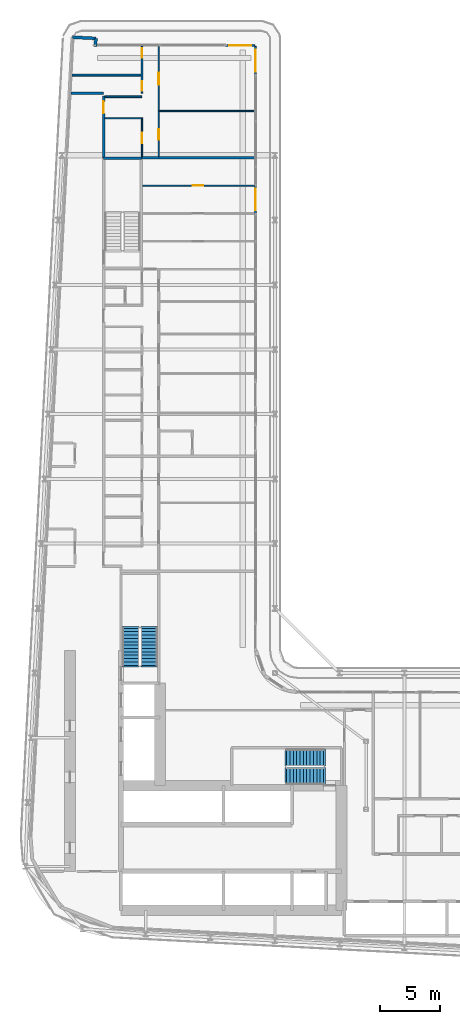
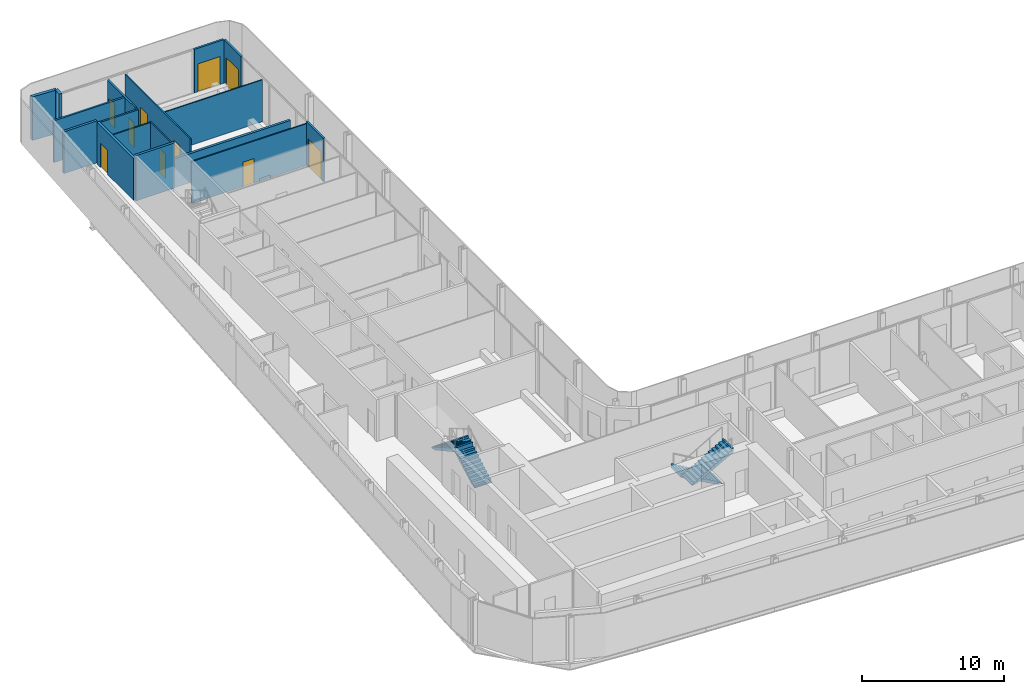
# One storey, part 20 of 28: 17 walls, 10 doors, 4 stair flights, 10 openings, 2 elements without a shape of their own.
"""IFC4 building model written with IfcOpenShell, lengths in metres."""

from ifc_helpers import new_model, si_unit, direction, frame, frame_2d, origin, place, context, subcontext, project, spatial, polyline, rectangle, outline, extrude, source, transform, mapped, material, layer, layer_set, type_object, element, fill, aggregate, save


model = new_model("IFC4")

# Units and contexts
model_context = context("Model", 3, precision=1e-05, world=origin(), true_north=direction((0.0, 1.0)))
body_context = subcontext(model_context, "Body", "Model", "MODEL_VIEW")
ifc_project = project(units=[si_unit("LENGTHUNIT", "METRE"), si_unit("AREAUNIT", "SQUARE_METRE"), si_unit("VOLUMEUNIT", "CUBIC_METRE"), si_unit("PLANEANGLEUNIT", "RADIAN"), si_unit("MASSUNIT", "GRAM", prefix="KILO")], contexts=[model_context])

# Site, building, storey
site_placement = place(None, origin())
site = spatial("IfcSite", under=ifc_project, at=site_placement, CompositionType="ELEMENT")
building_placement = place(site_placement, origin())
building = spatial("IfcBuilding", under=site, at=building_placement, Name="Kheshtan School and Residences Tower", CompositionType="ELEMENT")
storey_placement = place(building_placement, frame((0.0, 0.0, 133.10009765625)))
storey = spatial("IfcBuildingStorey", under=building, at=storey_placement, Name="L31", CompositionType="ELEMENT", Elevation=133.10009765625)

# Wall
ifc_material_1 = material(Name="Gypsum board on steel studs with fire boards", Category="steel")
ifc_layer_1 = layer(ifc_material_1, 0.199951171875)
ifc_layer_set_1 = layer_set([ifc_layer_1], Name="Corridor wall 200")
wall_type_1 = type_object("IfcWallType", Name="Corridor wall 200", PredefinedType="PARTITIONING", material=ifc_layer_set_1)
wall_1_placement = place(storey_placement, frame((30.584716796875, 94.0, 0.0), z_axis=(0.0, 0.0, 1.0), x_axis=(1.0, 0.0, 0.0)))
element("IfcWall", 1, at=wall_1_placement, inside=storey, type_object=wall_type_1, Name="Partition L31-002", PredefinedType="PARTITIONING", context=body_context, shape_type="SweptSolid", body=[
    extrude(rectangle(XDim=2.71533203125, YDim=0.199951171875, at=frame_2d((1.357666015625, 0.0))), origin(), (0.0, 0.0, 1.0), 3.599853515625),
])

# Wall, opening, door
wall_2_placement = place(storey_placement, frame((33.300048828125, 88.60009765625, 0.0), z_axis=(0.0, 0.0, 1.0), x_axis=(0.0, 1.0, 0.0)))
wall_2 = element("IfcWall", 2, at=wall_2_placement, inside=storey, type_object=wall_type_1, Name="Partition L31-004", PredefinedType="PARTITIONING", context=body_context, shape_type="SweptSolid", body=[
    extrude(rectangle(XDim=5.1748046875, YDim=0.199951171875, at=frame_2d((2.58740234375, 0.0))), origin(), (0.0, 0.0, 1.0), 3.599853515625),
])
opening_1_placement = place(wall_2_placement, frame((3.699951171875, 0.0, 0.0)))
opening_1 = element("IfcOpeningElement", 3, at=opening_1_placement, cuts=wall_2, Name="Opening D29-059", PredefinedType="OPENING", context=body_context, shape_type="SweptSolid", body=[
    extrude(rectangle(XDim=1.0, YDim=2.10009765625, at=frame_2d((0.5, 1.050048828125))), frame((0.0, 0.10986328125, 0.0), z_axis=(0.0, -1.0, 0.0), x_axis=(1.0, 0.0, 0.0)), (0.0, 0.0, 1.0), 0.219970703125),
])
ifc_material_2 = material(Name="Steel-framed fire-resisting door leaf", Category="steel")
door_type_1 = type_object("IfcDoorType", Name="Fire door FD30S 1000 x 2100", OperationType="SINGLE_SWING_LEFT", PredefinedType="DOOR", material=ifc_material_2)
shared_shape_1 = source(origin(), body_context, "Body", "SweptSolid", [
    extrude(rectangle(XDim=1.0, YDim=2.10009765625, at=frame_2d((0.5, 1.050048828125))), frame((0.0, 0.02490234375, 0.0), z_axis=(0.0, -1.0, 0.0), x_axis=(1.0, 0.0, 0.0)), (0.0, 0.0, 1.0), 0.050048828125),
])
door_1_placement = place(opening_1_placement, origin())
door_1 = element("IfcDoor", 4, at=door_1_placement, inside=storey, type_object=door_type_1, Name="Door D29-059", OperationType="SINGLE_SWING_RIGHT", OverallHeight=2.10009765625, OverallWidth=1.0, PredefinedType="DOOR", context=body_context, shape_type="MappedRepresentation", body=[
    mapped(shared_shape_1, transform((0.0, 0.0, 0.0), x_axis=(1.0, 0.0, 0.0), y_axis=(0.0, 1.0, 0.0), z_axis=(0.0, 0.0, 1.0), scale=1.0)),
])
fill(opening_1, door_1)

# Walls
ifc_material_3 = material(Name="Concrete C40/50 with ceramic cladding and mineral wool insulation", Category="concrete")
ifc_layer_2 = layer(ifc_material_3, 0.25)
ifc_layer_set_2 = layer_set([ifc_layer_2], Name="External wall 250 ceramic clad")
wall_type_2 = type_object("IfcWallType", Name="External wall 250 ceramic clad", PredefinedType="SOLIDWALL", material=ifc_layer_set_2)
wall_3_placement = place(storey_placement, frame((30.705078125, 98.6640625, 0.0), z_axis=(0.0, 0.0, 1.0), x_axis=(0.998577785791, -0.053314216913, 0.0)))
element("IfcWall", 5, at=wall_3_placement, inside=storey, type_object=wall_type_2, Name="External wall L31 5", PredefinedType="SOLIDWALL", context=body_context, shape_type="SweptSolid", body=[
    extrude(rectangle(XDim=1.95068359375, YDim=0.25, at=frame_2d((0.975341796875, 0.0))), origin(), (0.0, 0.0, 1.0), 3.75),
])
wall_4_placement = place(storey_placement, frame((32.653076171875, 98.56005859375, 0.0), z_axis=(0.0, 0.0, 1.0), x_axis=(-0.054093451632, -0.998535877418, 0.0)))
element("IfcWall", 6, at=wall_4_placement, inside=storey, type_object=wall_type_2, Name="External wall L31 6", PredefinedType="SOLIDWALL", context=body_context, shape_type="SweptSolid", body=[
    extrude(rectangle(XDim=0.66796875, YDim=0.25, at=frame_2d((0.333984375, 0.0))), origin(), (0.0, 0.0, 1.0), 3.75),
])

# Wall, opening, door
ifc_material_4 = material(Name="Aluminium frame wall with insulated infill", Category="aluminium")
ifc_layer_3 = layer(ifc_material_4, 0.14990234375)
ifc_layer_set_3 = layer_set([ifc_layer_3], Name="Glazing frame wall 150")
wall_type_3 = type_object("IfcWallType", Name="Glazing frame wall 150", PredefinedType="SOLIDWALL", material=ifc_layer_set_3)
wall_5_placement = place(storey_placement, frame((43.5, 97.97509765625, 0.0), z_axis=(0.0, 0.0, 1.0), x_axis=(1.0, 0.0, 0.0)))
wall_5 = element("IfcWall", 7, at=wall_5_placement, inside=storey, type_object=wall_type_3, Name="Balcony door wall L31 7.1", PredefinedType="SOLIDWALL", context=body_context, shape_type="SweptSolid", body=[
    extrude(rectangle(XDim=2.39990234375, YDim=0.14990234375, at=frame_2d((1.199951171875, 0.0))), origin(), (0.0, 0.0, 1.0), 3.75),
])
opening_2_placement = place(wall_5_placement, frame((0.300048828125, 0.0, 0.0)))
opening_2 = element("IfcOpeningElement", 8, at=opening_2_placement, cuts=wall_5, Name="Opening BD", PredefinedType="OPENING", context=body_context, shape_type="SweptSolid", body=[
    extrude(rectangle(XDim=1.800048828125, YDim=2.39990234375, at=frame_2d((0.89990234375, 1.199951171875))), frame((0.0, 0.0849609375, 0.0), z_axis=(0.0, -1.0, 0.0), x_axis=(1.0, 0.0, 0.0)), (0.0, 0.0, 1.0), 0.169921875),
])
ifc_material_5 = material(Name="Clear low-e glass in thermally broken aluminium frame", Category="aluminium")
door_type_2 = type_object("IfcDoorType", Name="Balcony sliding door", OperationType="SLIDING_TO_LEFT", PredefinedType="DOOR", material=ifc_material_5)
shared_shape_2 = source(origin(), body_context, "Body", "SweptSolid", [
    extrude(rectangle(XDim=1.800048828125, YDim=2.39990234375, at=frame_2d((0.89990234375, 1.199951171875))), frame((0.0, 0.02490234375, 0.0), z_axis=(0.0, -1.0, 0.0), x_axis=(1.0, 0.0, 0.0)), (0.0, 0.0, 1.0), 0.050048828125),
])
door_2_placement = place(opening_2_placement, origin())
door_2 = element("IfcDoor", 9, at=door_2_placement, inside=storey, type_object=door_type_2, Name="Balcony door L31 7.1", OperationType="SLIDING_TO_LEFT", OverallHeight=2.39990234375, OverallWidth=1.800048828125, PredefinedType="DOOR", context=body_context, shape_type="MappedRepresentation", body=[
    mapped(shared_shape_2, transform((0.0, 0.0, 0.0), x_axis=(1.0, 0.0, 0.0), y_axis=(0.0, 1.0, 0.0), z_axis=(0.0, 0.0, 1.0), scale=1.0)),
])
fill(opening_2, door_2)

wall_6_placement = place(storey_placement, frame((45.97509765625, 97.89990234375, 0.0), z_axis=(0.0, 0.0, 1.0), x_axis=(0.0, -1.0, 0.0)))
wall_6 = element("IfcWall", 10, at=wall_6_placement, inside=storey, type_object=wall_type_3, Name="Balcony door wall L31 8.1", PredefinedType="SOLIDWALL", context=body_context, shape_type="SweptSolid", body=[
    extrude(rectangle(XDim=2.39990234375, YDim=0.14990234375, at=frame_2d((1.199951171875, 0.0))), origin(), (0.0, 0.0, 1.0), 3.75),
])
opening_3_placement = place(wall_6_placement, frame((0.300048828125, 0.0, 0.0)))
opening_3 = element("IfcOpeningElement", 11, at=opening_3_placement, cuts=wall_6, Name="Opening BD", PredefinedType="OPENING", context=body_context, shape_type="SweptSolid", body=[
    extrude(rectangle(XDim=1.800048828125, YDim=2.39990234375, at=frame_2d((0.89990234375, 1.199951171875))), frame((0.0, 0.0849609375, 0.0), z_axis=(0.0, -1.0, 0.0), x_axis=(1.0, 0.0, 0.0)), (0.0, 0.0, 1.0), 0.169921875),
])
door_3_placement = place(opening_3_placement, origin())
door_3 = element("IfcDoor", 12, at=door_3_placement, inside=storey, type_object=door_type_2, Name="Balcony door L31 8.1", OperationType="SLIDING_TO_LEFT", OverallHeight=2.39990234375, OverallWidth=1.800048828125, PredefinedType="DOOR", context=body_context, shape_type="MappedRepresentation", body=[
    mapped(shared_shape_2, transform((0.0, 0.0, 0.0), x_axis=(1.0, 0.0, 0.0), y_axis=(0.0, 1.0, 0.0), z_axis=(0.0, 0.0, 1.0), scale=1.0)),
])
fill(opening_3, door_3)

wall_7_placement = place(storey_placement, frame((45.97509765625, 86.305908203125, 0.0), z_axis=(0.0, 0.0, 1.0), x_axis=(0.0, -1.0, 0.0)))
wall_7 = element("IfcWall", 13, at=wall_7_placement, inside=storey, type_object=wall_type_3, Name="Balcony door wall L31 8.2", PredefinedType="SOLIDWALL", context=body_context, shape_type="SweptSolid", body=[
    extrude(rectangle(XDim=2.39990234375, YDim=0.14990234375, at=frame_2d((1.199951171875, 0.0))), origin(), (0.0, 0.0, 1.0), 3.75),
])
opening_4_placement = place(wall_7_placement, frame((0.300048828125, 0.0, 0.0)))
opening_4 = element("IfcOpeningElement", 14, at=opening_4_placement, cuts=wall_7, Name="Opening BD", PredefinedType="OPENING", context=body_context, shape_type="SweptSolid", body=[
    extrude(rectangle(XDim=1.800048828125, YDim=2.39990234375, at=frame_2d((0.89990234375, 1.199951171875))), frame((0.0, 0.0849609375, 0.0), z_axis=(0.0, -1.0, 0.0), x_axis=(1.0, 0.0, 0.0)), (0.0, 0.0, 1.0), 0.169921875),
])
door_4_placement = place(opening_4_placement, origin())
door_4 = element("IfcDoor", 15, at=door_4_placement, inside=storey, type_object=door_type_2, Name="Balcony door L31 8.2", OperationType="SLIDING_TO_LEFT", OverallHeight=2.39990234375, OverallWidth=1.800048828125, PredefinedType="DOOR", context=body_context, shape_type="MappedRepresentation", body=[
    mapped(shared_shape_2, transform((0.0, 0.0, 0.0), x_axis=(1.0, 0.0, 0.0), y_axis=(0.0, 1.0, 0.0), z_axis=(0.0, 0.0, 1.0), scale=1.0)),
])
fill(opening_4, door_4)

# Wall
ifc_material_6 = material(Name="Gypsum board on steel studs", Category="steel")
ifc_layer_4 = layer(ifc_material_6, 0.10009765625)
ifc_layer_set_4 = layer_set([ifc_layer_4], Name="Gypsum partition 100")
wall_type_4 = type_object("IfcWallType", Name="Gypsum partition 100", PredefinedType="PARTITIONING", material=ifc_layer_set_4)
wall_8_placement = place(storey_placement, frame((33.39990234375, 91.89990234375, 0.0), z_axis=(0.0, 0.0, 1.0), x_axis=(1.0, 0.0, 0.0)))
element("IfcWall", 16, at=wall_8_placement, inside=storey, type_object=wall_type_4, Name="Partition L31-018", PredefinedType="PARTITIONING", context=body_context, shape_type="SweptSolid", body=[
    extrude(rectangle(XDim=3.050048828125, YDim=0.10009765625, at=frame_2d((1.52490234375, 0.0))), origin(), (0.0, 0.0, 1.0), 3.599853515625),
])

# Wall, opening, door
wall_9_placement = place(storey_placement, frame((36.5, 88.699951171875, 0.0), z_axis=(0.0, 0.0, 1.0), x_axis=(0.0, 1.0, 0.0)))
wall_9 = element("IfcWall", 17, at=wall_9_placement, inside=storey, type_object=wall_type_4, Name="Partition L31-027", PredefinedType="PARTITIONING", context=body_context, shape_type="SweptSolid", body=[
    extrude(rectangle(XDim=3.25, YDim=0.10009765625, at=frame_2d((1.625, 0.0))), origin(), (0.0, 0.0, 1.0), 3.599853515625),
])
opening_5_placement = place(wall_9_placement, frame((1.10009765625, 0.0, 0.0)))
opening_5 = element("IfcOpeningElement", 18, at=opening_5_placement, cuts=wall_9, Name="Opening D29-060", PredefinedType="OPENING", context=body_context, shape_type="SweptSolid", body=[
    extrude(rectangle(XDim=0.89990234375, YDim=2.10009765625, at=frame_2d((0.449951171875, 1.050048828125))), frame((0.0, 0.06005859375, 0.0), z_axis=(0.0, -1.0, 0.0), x_axis=(1.0, 0.0, 0.0)), (0.0, 0.0, 1.0), 0.1201171875),
])
ifc_material_7 = material(Name="Veneered timber door leaf", Category="wood")
door_type_3 = type_object("IfcDoorType", Name="Door 900 x 2100", OperationType="SINGLE_SWING_LEFT", PredefinedType="DOOR", material=ifc_material_7)
shared_shape_3 = source(origin(), body_context, "Body", "SweptSolid", [
    extrude(rectangle(XDim=0.89990234375, YDim=2.10009765625, at=frame_2d((0.449951171875, 1.050048828125))), frame((0.0, 0.02490234375, 0.0), z_axis=(0.0, -1.0, 0.0), x_axis=(1.0, 0.0, 0.0)), (0.0, 0.0, 1.0), 0.050048828125),
])
door_5_placement = place(opening_5_placement, origin())
door_5 = element("IfcDoor", 19, at=door_5_placement, inside=storey, type_object=door_type_3, Name="Door D29-060", OperationType="SINGLE_SWING_LEFT", OverallHeight=2.10009765625, OverallWidth=0.89990234375, PredefinedType="DOOR", context=body_context, shape_type="MappedRepresentation", body=[
    mapped(shared_shape_3, transform((0.0, 0.0, 0.0), x_axis=(1.0, 0.0, 0.0), y_axis=(0.0, 1.0, 0.0), z_axis=(0.0, 0.0, 1.0), scale=1.0)),
])
fill(opening_5, door_5)

wall_10_placement = place(storey_placement, frame((36.549072265625, 86.27490234375, 0.0), z_axis=(0.0, 0.0, 1.0), x_axis=(1.0, 0.0, 0.0)))
wall_10 = element("IfcWall", 20, at=wall_10_placement, inside=storey, type_object=wall_type_4, Name="Partition L31-031", PredefinedType="PARTITIONING", context=body_context, shape_type="SweptSolid", body=[
    extrude(rectangle(XDim=9.350830078125, YDim=0.10009765625, at=frame_2d((4.67529296875, 0.0))), origin(), (0.0, 0.0, 1.0), 3.599853515625),
])
opening_6_placement = place(wall_10_placement, frame((4.176025390625, 0.0, 0.0)))
opening_6 = element("IfcOpeningElement", 21, at=opening_6_placement, cuts=wall_10, Name="Opening D29-056", PredefinedType="OPENING", context=body_context, shape_type="SweptSolid", body=[
    extrude(rectangle(XDim=0.89990234375, YDim=2.10009765625, at=frame_2d((0.449951171875, 1.050048828125))), frame((0.0, 0.06005859375, 0.0), z_axis=(0.0, -1.0, 0.0), x_axis=(1.0, 0.0, 0.0)), (0.0, 0.0, 1.0), 0.1201171875),
])
door_6_placement = place(opening_6_placement, origin())
door_6 = element("IfcDoor", 22, at=door_6_placement, inside=storey, type_object=door_type_3, Name="Door D29-056", OperationType="SINGLE_SWING_RIGHT", OverallHeight=2.10009765625, OverallWidth=0.89990234375, PredefinedType="DOOR", context=body_context, shape_type="MappedRepresentation", body=[
    mapped(shared_shape_3, transform((0.0, 0.0, 0.0), x_axis=(1.0, 0.0, 0.0), y_axis=(0.0, 1.0, 0.0), z_axis=(0.0, 0.0, 1.0), scale=1.0)),
])
fill(opening_6, door_6)

# Wall, openings, doors
wall_11_placement = place(storey_placement, frame((37.89990234375, 88.699951171875, 0.0), z_axis=(0.0, 0.0, 1.0), x_axis=(0.0, 1.0, 0.0)))
wall_11 = element("IfcWall", 23, at=wall_11_placement, inside=storey, type_object=wall_type_4, Name="Partition L31-034", PredefinedType="PARTITIONING", context=body_context, shape_type="SweptSolid", body=[
    extrude(rectangle(XDim=9.199951171875, YDim=0.10009765625, at=frame_2d((4.60009765625, 0.0))), origin(), (0.0, 0.0, 1.0), 3.599853515625),
])
opening_7_placement = place(wall_11_placement, frame((1.39990234375, 0.0, 0.0)))
opening_7 = element("IfcOpeningElement", 24, at=opening_7_placement, cuts=wall_11, Name="Opening D29-058", PredefinedType="OPENING", context=body_context, shape_type="SweptSolid", body=[
    extrude(rectangle(XDim=0.89990234375, YDim=2.10009765625, at=frame_2d((0.449951171875, 1.050048828125))), frame((0.0, 0.06005859375, 0.0), z_axis=(0.0, -1.0, 0.0), x_axis=(1.0, 0.0, 0.0)), (0.0, 0.0, 1.0), 0.1201171875),
])
opening_8_placement = place(wall_11_placement, frame((6.0, 0.0, 0.0)))
opening_8 = element("IfcOpeningElement", 25, at=opening_8_placement, cuts=wall_11, Name="Opening D29-061", PredefinedType="OPENING", context=body_context, shape_type="SweptSolid", body=[
    extrude(rectangle(XDim=1.0, YDim=2.10009765625, at=frame_2d((0.5, 1.050048828125))), frame((0.0, 0.06005859375, 0.0), z_axis=(0.0, -1.0, 0.0), x_axis=(1.0, 0.0, 0.0)), (0.0, 0.0, 1.0), 0.1201171875),
])
door_type_4 = type_object("IfcDoorType", Name="Door 1000 x 2100", OperationType="SINGLE_SWING_LEFT", PredefinedType="DOOR", material=ifc_material_7)
shared_shape_4 = source(origin(), body_context, "Body", "SweptSolid", [
    extrude(rectangle(XDim=1.0, YDim=2.10009765625, at=frame_2d((0.5, 1.050048828125))), frame((0.0, 0.02490234375, 0.0), z_axis=(0.0, -1.0, 0.0), x_axis=(1.0, 0.0, 0.0)), (0.0, 0.0, 1.0), 0.050048828125),
])
door_7_placement = place(opening_8_placement, origin())
door_7 = element("IfcDoor", 26, at=door_7_placement, inside=storey, type_object=door_type_4, Name="Door D29-061", OperationType="SINGLE_SWING_RIGHT", OverallHeight=2.10009765625, OverallWidth=1.0, PredefinedType="DOOR", context=body_context, shape_type="MappedRepresentation", body=[
    mapped(shared_shape_4, transform((0.0, 0.0, 0.0), x_axis=(1.0, 0.0, 0.0), y_axis=(0.0, 1.0, 0.0), z_axis=(0.0, 0.0, 1.0), scale=1.0)),
])
fill(opening_8, door_7)
door_8_placement = place(opening_7_placement, origin())
door_8 = element("IfcDoor", 27, at=door_8_placement, inside=storey, type_object=door_type_3, Name="Door D29-058", OperationType="SINGLE_SWING_LEFT", OverallHeight=2.10009765625, OverallWidth=0.89990234375, PredefinedType="DOOR", context=body_context, shape_type="MappedRepresentation", body=[
    mapped(shared_shape_3, transform((0.0, 0.0, 0.0), x_axis=(1.0, 0.0, 0.0), y_axis=(0.0, 1.0, 0.0), z_axis=(0.0, 0.0, 1.0), scale=1.0)),
])
fill(opening_7, door_8)

# Walls
wall_12_placement = place(storey_placement, frame((37.949951171875, 92.5, 0.0), z_axis=(0.0, 0.0, 1.0), x_axis=(1.0, 0.0, 0.0)))
element("IfcWall", 28, at=wall_12_placement, inside=storey, type_object=wall_type_4, Name="Partition L31-035", PredefinedType="PARTITIONING", context=body_context, shape_type="SweptSolid", body=[
    extrude(rectangle(XDim=7.949951171875, YDim=0.10009765625, at=frame_2d((3.97509765625, 0.0))), origin(), (0.0, 0.0, 1.0), 3.599853515625),
])
ifc_material_8 = material(Name="Concrete C40/50", Category="concrete")
ifc_layer_5 = layer(ifc_material_8, 0.199951171875)
ifc_layer_set_5 = layer_set([ifc_layer_5], Name="Stair enclosure wall 200 Concrete C40/50")
wall_type_5 = type_object("IfcWallType", Name="Stair enclosure wall 200 Concrete C40/50", PredefinedType="SHEAR", material=ifc_layer_set_5)
wall_13_placement = place(storey_placement, frame((33.300048828125, 88.56005859375, 0.0), z_axis=(0.0, 0.0, 1.0), x_axis=(1.0, 0.0, 0.0)))
element("IfcWall", 29, at=wall_13_placement, inside=storey, type_object=wall_type_5, Name="Stair enclosure wall ST3", PredefinedType="SHEAR", context=body_context, shape_type="SweptSolid", body=[
    extrude(rectangle(XDim=3.14990234375, YDim=0.199951171875, at=frame_2d((1.574951171875, 0.0))), origin(), (0.0, 0.0, 1.0), 3.89990234375),
])
ifc_material_9 = material(Name="Twin gypsum board on steel studs with mineral wool", Category="steel")
ifc_layer_6 = layer(ifc_material_9, 0.199951171875)
ifc_layer_set_6 = layer_set([ifc_layer_6], Name="Unit demising wall 200")
wall_type_6 = type_object("IfcWallType", Name="Unit demising wall 200", PredefinedType="PARTITIONING", material=ifc_layer_set_6)
wall_14_placement = place(storey_placement, frame((36.449951171875, 88.60009765625, 0.0), z_axis=(0.0, 0.0, 1.0), x_axis=(1.0, 0.0, 0.0)))
element("IfcWall", 30, at=wall_14_placement, inside=storey, type_object=wall_type_6, Name="Partition L31-023", PredefinedType="PARTITIONING", context=body_context, shape_type="SweptSolid", body=[
    extrude(rectangle(XDim=9.449951171875, YDim=0.199951171875, at=frame_2d((4.72509765625, 0.0))), origin(), (0.0, 0.0, 1.0), 2.5),
])
ifc_material_10 = material(Name="Moisture-resistant gypsum board on steel studs", Category="steel")
ifc_layer_7 = layer(ifc_material_10, 0.14990234375)
ifc_layer_set_7 = layer_set([ifc_layer_7], Name="Wet-room partition 150")
wall_type_7 = type_object("IfcWallType", Name="Wet-room partition 150", PredefinedType="PARTITIONING", material=ifc_layer_set_7)
wall_15_placement = place(storey_placement, frame((30.6640625, 95.5, 0.0), z_axis=(0.0, 0.0, 1.0), x_axis=(1.0, 0.0, 0.0)))
element("IfcWall", 31, at=wall_15_placement, inside=storey, type_object=wall_type_7, Name="Partition L31-001", PredefinedType="PARTITIONING", context=body_context, shape_type="SweptSolid", body=[
    extrude(rectangle(XDim=5.760986328125, YDim=0.14990234375, at=frame_2d((2.88037109375, 0.0))), origin(), (0.0, 0.0, 1.0), 3.599853515625),
])
wall_16_placement = place(storey_placement, frame((33.39990234375, 93.699951171875, 0.0), z_axis=(0.0, 0.0, 1.0), x_axis=(1.0, 0.0, 0.0)))
element("IfcWall", 32, at=wall_16_placement, inside=storey, type_object=wall_type_7, Name="Partition L31-019", PredefinedType="PARTITIONING", context=body_context, shape_type="SweptSolid", body=[
    extrude(rectangle(XDim=3.10009765625, YDim=0.14990234375, at=frame_2d((1.550048828125, 0.0))), origin(), (0.0, 0.0, 1.0), 3.599853515625),
])

# Wall, openings, doors
wall_17_placement = place(storey_placement, frame((36.5, 94.0, 0.0), z_axis=(0.0, 0.0, 1.0), x_axis=(0.0, 1.0, 0.0)))
wall_17 = element("IfcWall", 33, at=wall_17_placement, inside=storey, type_object=wall_type_7, Name="Partition L31-028", PredefinedType="PARTITIONING", context=body_context, shape_type="SweptSolid", body=[
    extrude(rectangle(XDim=3.89990234375, YDim=0.14990234375, at=frame_2d((1.949951171875, 0.0))), origin(), (0.0, 0.0, 1.0), 3.599853515625),
])
opening_9_placement = place(wall_17_placement, frame((2.949951171875, 0.0, 0.0)))
opening_9 = element("IfcOpeningElement", 34, at=opening_9_placement, cuts=wall_17, Name="Opening D29-057", PredefinedType="OPENING", context=body_context, shape_type="SweptSolid", body=[
    extrude(rectangle(XDim=0.800048828125, YDim=2.10009765625, at=frame_2d((0.39990234375, 1.050048828125))), frame((0.0, 0.0849609375, 0.0), z_axis=(0.0, -1.0, 0.0), x_axis=(1.0, 0.0, 0.0)), (0.0, 0.0, 1.0), 0.169921875),
])
opening_10_placement = place(wall_17_placement, frame((0.199951171875, 0.0, 0.0)))
opening_10 = element("IfcOpeningElement", 35, at=opening_10_placement, cuts=wall_17, Name="Opening D29-062", PredefinedType="OPENING", context=body_context, shape_type="SweptSolid", body=[
    extrude(rectangle(XDim=0.800048828125, YDim=2.10009765625, at=frame_2d((0.39990234375, 1.050048828125))), frame((0.0, 0.0849609375, 0.0), z_axis=(0.0, -1.0, 0.0), x_axis=(1.0, 0.0, 0.0)), (0.0, 0.0, 1.0), 0.169921875),
])
door_type_5 = type_object("IfcDoorType", Name="Door 800 x 2100", OperationType="SINGLE_SWING_LEFT", PredefinedType="DOOR", material=ifc_material_7)
shared_shape_5 = source(origin(), body_context, "Body", "SweptSolid", [
    extrude(rectangle(XDim=0.800048828125, YDim=2.10009765625, at=frame_2d((0.39990234375, 1.050048828125))), frame((0.0, 0.02490234375, 0.0), z_axis=(0.0, -1.0, 0.0), x_axis=(1.0, 0.0, 0.0)), (0.0, 0.0, 1.0), 0.050048828125),
])
door_9_placement = place(opening_9_placement, origin())
door_9 = element("IfcDoor", 36, at=door_9_placement, inside=storey, type_object=door_type_5, Name="Door D29-057", OperationType="SINGLE_SWING_LEFT", OverallHeight=2.10009765625, OverallWidth=0.800048828125, PredefinedType="DOOR", context=body_context, shape_type="MappedRepresentation", body=[
    mapped(shared_shape_5, transform((0.0, 0.0, 0.0), x_axis=(1.0, 0.0, 0.0), y_axis=(0.0, 1.0, 0.0), z_axis=(0.0, 0.0, 1.0), scale=1.0)),
])
fill(opening_9, door_9)
door_10_placement = place(opening_10_placement, origin())
door_10 = element("IfcDoor", 37, at=door_10_placement, inside=storey, type_object=door_type_5, Name="Door D29-062", OperationType="SINGLE_SWING_RIGHT", OverallHeight=2.10009765625, OverallWidth=0.800048828125, PredefinedType="DOOR", context=body_context, shape_type="MappedRepresentation", body=[
    mapped(shared_shape_5, transform((0.0, 0.0, 0.0), x_axis=(1.0, 0.0, 0.0), y_axis=(0.0, 1.0, 0.0), z_axis=(0.0, 0.0, 1.0), scale=1.0)),
])
fill(opening_10, door_10)

# Stair, stair flights
stair_type = type_object("IfcStairType", Name="Exit stair, half-turn", PredefinedType="HALF_TURN_STAIR", material=ifc_material_8)
stair_1_placement = place(storey_placement, origin())
stair_1 = element("IfcStair", 38, at=stair_1_placement, inside=storey, type_object=stair_type, Name="L31 Protected Exit Stair ST1", PredefinedType="HALF_TURN_STAIR")
ifc_layer_8 = layer(ifc_material_8, 0.14990234375)
ifc_layer_set_8 = layer_set([ifc_layer_8], Name="Stair flight 1400 Concrete C40/50")
stair_flight_type = type_object("IfcStairFlightType", Name="Stair flight 1400 Concrete C40/50", PredefinedType="STRAIGHT", material=ifc_layer_set_8)
stair_flight_1_placement = place(storey_placement, frame((51.64990234375, 38.550048828125, 0.0), z_axis=(0.0, 0.0, 1.0), x_axis=(-1.0, 0.0, 0.0)))
stair_flight_1 = element("IfcStairFlight", 39, at=stair_flight_1_placement, type_object=stair_flight_type, Name="ST1 flight 1", NumberOfRisers=12, NumberOfTreads=11, PredefinedType="STRAIGHT", RiserHeight=0.1625, TreadLength=0.28, context=body_context, shape_type="SweptSolid", body=[
    extrude(outline(polyline([(-0.14990234375, -0.10009765625), (-0.14990234375, 0.0), (0.0, 0.0), (0.0, 0.16259765625), (0.280029296875, 0.16259765625), (0.280029296875, 0.324951171875), (0.56005859375, 0.324951171875), (0.56005859375, 0.487548828125), (0.840087890625, 0.487548828125), (0.840087890625, 0.64990234375), (1.1201171875, 0.64990234375), (1.1201171875, 0.8125), (1.39990234375, 0.8125), (1.39990234375, 0.97509765625), (1.679931640625, 0.97509765625), (1.679931640625, 1.137451171875), (1.9599609375, 1.137451171875), (1.9599609375, 1.300048828125), (2.239990234375, 1.300048828125), (2.239990234375, 1.46240234375), (2.52001953125, 1.46240234375), (2.52001953125, 1.625), (2.800048828125, 1.625), (2.800048828125, 1.78759765625), (3.080078125, 1.78759765625), (3.080078125, 1.949951171875), (3.080078125, 1.969970703125), (3.22998046875, 1.969970703125), (3.22998046875, 1.6142578125), (0.298583984375, 0.0), (-0.14990234375, -0.10009765625)])), frame((0.0, 0.699951171875, 0.0), z_axis=(0.0, -1.0, 0.0), x_axis=(1.0, 0.0, 0.0)), (0.0, 0.0, 1.0), 1.39990234375),
])
stair_flight_2_placement = place(storey_placement, frame((48.570068359375, 37.0, 1.949951171875), z_axis=(0.0, 0.0, 1.0), x_axis=(1.0, 0.0, 0.0)))
stair_flight_2 = element("IfcStairFlight", 40, at=stair_flight_2_placement, type_object=stair_flight_type, Name="ST1 flight 2", NumberOfRisers=12, NumberOfTreads=11, PredefinedType="STRAIGHT", RiserHeight=0.1625, TreadLength=0.28, context=body_context, shape_type="SweptSolid", body=[
    extrude(outline(polyline([(-0.14990234375, -0.10009765625), (-0.14990234375, 0.0), (0.0, 0.0), (0.0, 0.16259765625), (0.280029296875, 0.16259765625), (0.280029296875, 0.324951171875), (0.56005859375, 0.324951171875), (0.56005859375, 0.487548828125), (0.840087890625, 0.487548828125), (0.840087890625, 0.64990234375), (1.1201171875, 0.64990234375), (1.1201171875, 0.8125), (1.39990234375, 0.8125), (1.39990234375, 0.97509765625), (1.679931640625, 0.97509765625), (1.679931640625, 1.137451171875), (1.9599609375, 1.137451171875), (1.9599609375, 1.300048828125), (2.239990234375, 1.300048828125), (2.239990234375, 1.46240234375), (2.52001953125, 1.46240234375), (2.52001953125, 1.625), (2.800048828125, 1.625), (2.800048828125, 1.78759765625), (3.080078125, 1.78759765625), (3.080078125, 1.949951171875), (3.080078125, 1.969970703125), (3.22998046875, 1.969970703125), (3.22998046875, 1.6142578125), (0.298583984375, 0.0), (-0.14990234375, -0.10009765625)])), frame((0.0, 0.699951171875, 0.0), z_axis=(0.0, -1.0, 0.0), x_axis=(1.0, 0.0, 0.0)), (0.0, 0.0, 1.0), 1.39990234375),
])
aggregate(stair_1, [stair_flight_1, stair_flight_2])

stair_2_placement = place(storey_placement, origin())
stair_2 = element("IfcStair", 41, at=stair_2_placement, inside=storey, type_object=stair_type, Name="L31 Protected Exit Stair ST2", PredefinedType="HALF_TURN_STAIR")
stair_flight_3_placement = place(storey_placement, frame((37.10009765625, 46.25, 0.0), z_axis=(0.0, 0.0, 1.0), x_axis=(0.0, 1.0, 0.0)))
stair_flight_3 = element("IfcStairFlight", 42, at=stair_flight_3_placement, type_object=stair_flight_type, Name="ST2 flight 1", NumberOfRisers=12, NumberOfTreads=11, PredefinedType="STRAIGHT", RiserHeight=0.1625, TreadLength=0.28, context=body_context, shape_type="SweptSolid", body=[
    extrude(outline(polyline([(-0.14990234375, -0.10009765625), (-0.14990234375, 0.0), (0.0, 0.0), (0.0, 0.16259765625), (0.280029296875, 0.16259765625), (0.280029296875, 0.324951171875), (0.56005859375, 0.324951171875), (0.56005859375, 0.487548828125), (0.840087890625, 0.487548828125), (0.840087890625, 0.64990234375), (1.1201171875, 0.64990234375), (1.1201171875, 0.8125), (1.39990234375, 0.8125), (1.39990234375, 0.97509765625), (1.679931640625, 0.97509765625), (1.679931640625, 1.137451171875), (1.9599609375, 1.137451171875), (1.9599609375, 1.300048828125), (2.239990234375, 1.300048828125), (2.239990234375, 1.46240234375), (2.52001953125, 1.46240234375), (2.52001953125, 1.625), (2.800048828125, 1.625), (2.800048828125, 1.78759765625), (3.080078125, 1.78759765625), (3.080078125, 1.949951171875), (3.080078125, 1.969970703125), (3.22998046875, 1.969970703125), (3.22998046875, 1.6142578125), (0.298583984375, 0.0), (-0.14990234375, -0.10009765625)])), frame((0.0, 0.699951171875, 0.0), z_axis=(0.0, -1.0, 0.0), x_axis=(1.0, 0.0, 0.0)), (0.0, 0.0, 1.0), 1.39990234375),
])
stair_flight_4_placement = place(storey_placement, frame((35.550048828125, 49.330078125, 1.949951171875), z_axis=(0.0, 0.0, 1.0), x_axis=(0.0, -1.0, 0.0)))
stair_flight_4 = element("IfcStairFlight", 43, at=stair_flight_4_placement, type_object=stair_flight_type, Name="ST2 flight 2", NumberOfRisers=12, NumberOfTreads=11, PredefinedType="STRAIGHT", RiserHeight=0.1625, TreadLength=0.28, context=body_context, shape_type="SweptSolid", body=[
    extrude(outline(polyline([(-0.14990234375, -0.10009765625), (-0.14990234375, 0.0), (0.0, 0.0), (0.0, 0.16259765625), (0.280029296875, 0.16259765625), (0.280029296875, 0.324951171875), (0.56005859375, 0.324951171875), (0.56005859375, 0.487548828125), (0.840087890625, 0.487548828125), (0.840087890625, 0.64990234375), (1.1201171875, 0.64990234375), (1.1201171875, 0.8125), (1.39990234375, 0.8125), (1.39990234375, 0.97509765625), (1.679931640625, 0.97509765625), (1.679931640625, 1.137451171875), (1.9599609375, 1.137451171875), (1.9599609375, 1.300048828125), (2.239990234375, 1.300048828125), (2.239990234375, 1.46240234375), (2.52001953125, 1.46240234375), (2.52001953125, 1.625), (2.800048828125, 1.625), (2.800048828125, 1.78759765625), (3.080078125, 1.78759765625), (3.080078125, 1.949951171875), (3.080078125, 1.969970703125), (3.22998046875, 1.969970703125), (3.22998046875, 1.6142578125), (0.298583984375, 0.0), (-0.14990234375, -0.10009765625)])), frame((0.0, 0.699951171875, 0.0), z_axis=(0.0, -1.0, 0.0), x_axis=(1.0, 0.0, 0.0)), (0.0, 0.0, 1.0), 1.39990234375),
])
aggregate(stair_2, [stair_flight_3, stair_flight_4])

save(model, "model.ifc")
